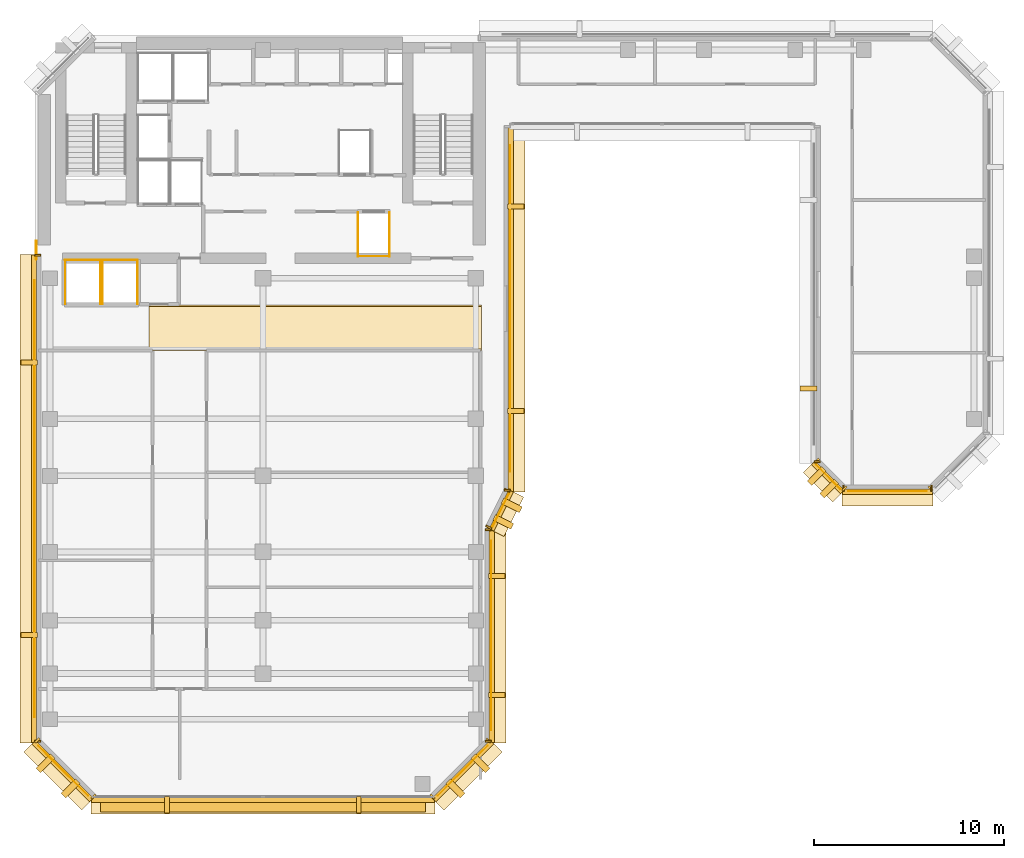
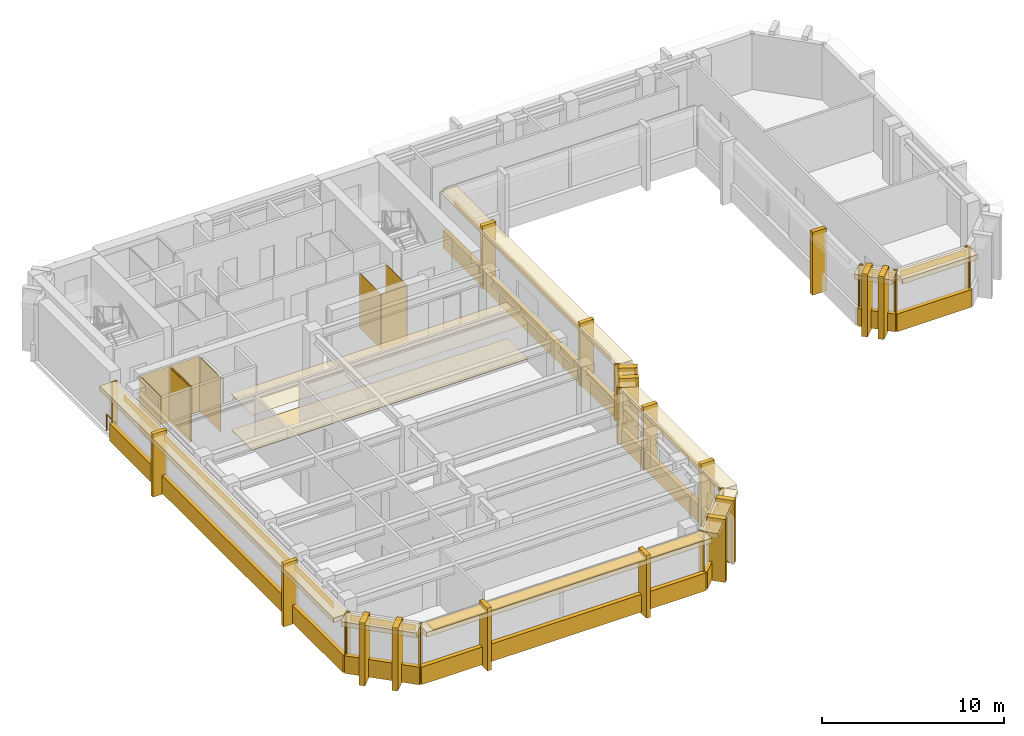
# One storey, part 8 of 11: 71 coverings, 1 railing, 1 shading device.
"""IFC4 building model written with IfcOpenShell, lengths in metres."""

from ifc_helpers import new_model, si_unit, direction, frame, origin, origin_2d, place, context, subcontext, project, spatial, polyline, rectangle, circle, outline, extrude, material, layer, layer_set, type_object, element, save


model = new_model("IFC4")

# Units and contexts
model_context = context("Model", 3, precision=1e-05, world=origin(), true_north=direction((0.0, 1.0)))
body_context = subcontext(model_context, "Body", "Model", "MODEL_VIEW")
ifc_project = project(units=[si_unit("LENGTHUNIT", "METRE"), si_unit("AREAUNIT", "SQUARE_METRE"), si_unit("VOLUMEUNIT", "CUBIC_METRE"), si_unit("PLANEANGLEUNIT", "RADIAN"), si_unit("MASSUNIT", "GRAM", prefix="KILO")], contexts=[model_context])

# Site, building, storey
site_placement = place(None, origin())
site = spatial("IfcSite", under=ifc_project, at=site_placement, CompositionType="ELEMENT")
building_placement = place(site_placement, origin())
building = spatial("IfcBuilding", under=site, at=building_placement, Name="Kefirva Bronze Tower", CompositionType="ELEMENT")
storey_placement = place(building_placement, frame((0.0, 0.0, 243.5400390625)))
storey = spatial("IfcBuildingStorey", under=building, at=storey_placement, Name="L59", CompositionType="ELEMENT", Elevation=243.5400390625)

# Coverings
ifc_material_1 = material(Name="Acoustic mineral tile")
ifc_layer_1 = layer(ifc_material_1, 0.02490234375, Name="Acoustic mineral tile")
ifc_layer_set_1 = layer_set([ifc_layer_1], Name="Acoustic mineral tile")
covering_type_1 = type_object("IfcCoveringType", Name="Acoustic Mineral Suspended Ceiling 25mm", PredefinedType="CEILING", material=ifc_layer_set_1)
covering_1_placement = place(storey_placement, frame((0.0, 0.0, 2.39990234375)))
element("IfcCovering", 1, at=covering_1_placement, inside=storey, type_object=covering_type_1, Name="L59 Corridor Acoustic Ceiling", PredefinedType="CEILING", context=body_context, shape_type="SweptSolid", body=[
    extrude(outline(polyline([(6.0, 29.39990234375), (23.5, 29.39990234375), (23.5, 31.800048828125), (6.0, 31.800048828125), (6.0, 29.39990234375)])), origin(), (0.0, 0.0, 1.0), 0.025146484375),
])
ifc_material_2 = material(Name="Bronze anodised aluminium", Category="aluminium")
ifc_layer_2 = layer(ifc_material_2, 0.02001953125, Name="Bronze anodised aluminium")
ifc_layer_set_2 = layer_set([ifc_layer_2], Name="Bronze anodised aluminium")
covering_type_2 = type_object("IfcCoveringType", Name="Anodised Bronze Spandrel Cladding 20mm", PredefinedType="CLADDING", material=ifc_layer_set_2)
covering_2_placement = place(storey_placement, frame((12.0, 5.760009765625, -0.16015625), z_axis=(0.0, 0.0, 1.0), x_axis=(1.0, 0.0, 0.0)))
element("IfcCovering", 2, at=covering_2_placement, inside=storey, type_object=covering_type_2, Name="L59 Streamline Horizontal Spandrel Band 0", PredefinedType="CLADDING", context=body_context, shape_type="SweptSolid", body=[
    extrude(rectangle(XDim=18.0400390625, YDim=0.280029296875, at=origin_2d()), origin(), (0.0, 0.0, 1.0), 1.179931640625),
])
covering_3_placement = place(storey_placement, frame((22.507080078125, 7.29296875, 3.2900390625), z_axis=(0.0, 0.0, 1.0), x_axis=(0.707106781187, 0.707106781187, 0.0)))
element("IfcCovering", 3, at=covering_3_placement, inside=storey, type_object=covering_type_2, Name="L59 Bronze Spandrel Cladding 1", PredefinedType="CLADDING", context=body_context, shape_type="SweptSolid", body=[
    extrude(rectangle(XDim=3.719482421875, YDim=0.02001953125, at=origin_2d()), origin(), (0.0, 0.0, 1.0), 0.39990234375),
])
for number, where, z_axis, x_axis, name in (
    (4, (20.91162109375, 5.93798828125, 0.0), (0.0, 0.0, 1.0), (0.707106781187, 0.707106781187, 0.0), "L59 Facade Joint Closure Panel 1S"),
    (5, (23.862060546875, 8.88818359375, 0.0), (0.0, 0.0, 1.0), (0.707106781187, 0.707106781187, 0.0), "L59 Facade Joint Closure Panel 1E"),
):
    element("IfcCovering", number, at=place(storey_placement, frame(where, z_axis=z_axis, x_axis=x_axis)), inside=storey, type_object=covering_type_2, Name=name, PredefinedType="CLADDING", context=body_context, shape_type="SweptSolid", body=[
        extrude(rectangle(XDim=0.10009765625, YDim=0.320068359375, at=origin_2d()), origin(), (0.0, 0.0, 1.0), 3.7099609375),
    ])
covering_4_placement = place(storey_placement, frame((22.5283203125, 7.271728515625, -0.16015625), z_axis=(0.0, 0.0, 1.0), x_axis=(0.707106781187, 0.707106781187, 0.0)))
element("IfcCovering", 6, at=covering_4_placement, inside=storey, type_object=covering_type_2, Name="L59 Streamline Horizontal Spandrel Band 1", PredefinedType="CLADDING", context=body_context, shape_type="SweptSolid", body=[
    extrude(rectangle(XDim=4.28271484375, YDim=0.280029296875, at=origin_2d()), origin(), (0.0, 0.0, 1.0), 1.179931640625),
])
covering_5_placement = place(storey_placement, frame((24.010009765625, 14.39990234375, 3.2900390625), z_axis=(0.0, 0.0, 1.0), x_axis=(0.0, 1.0, 0.0)))
element("IfcCovering", 7, at=covering_5_placement, inside=storey, type_object=covering_type_2, Name="L59 Bronze Spandrel Cladding 2", PredefinedType="CLADDING", context=body_context, shape_type="SweptSolid", body=[
    extrude(rectangle(XDim=9.98095703125, YDim=0.02001953125, at=origin_2d()), origin(), (0.0, 0.0, 1.0), 0.39990234375),
])
for number, where, z_axis, x_axis, name in (
    (8, (23.840087890625, 8.8349609375, 0.0), (0.0, 0.0, 1.0), (0.0, 1.0, 0.0), "L59 Facade Joint Closure Panel 2S"),
    (9, (23.840087890625, 19.965087890625, 0.0), (0.0, 0.0, 1.0), (0.0, 1.0, 0.0), "L59 Facade Joint Closure Panel 2E"),
):
    element("IfcCovering", number, at=place(storey_placement, frame(where, z_axis=z_axis, x_axis=x_axis)), inside=storey, type_object=covering_type_2, Name=name, PredefinedType="CLADDING", context=body_context, shape_type="SweptSolid", body=[
        extrude(rectangle(XDim=0.10009765625, YDim=0.320068359375, at=origin_2d()), origin(), (0.0, 0.0, 1.0), 3.7099609375),
    ])
covering_6_placement = place(storey_placement, frame((24.0400390625, 14.39990234375, -0.16015625), z_axis=(0.0, 0.0, 1.0), x_axis=(0.0, 1.0, 0.0)))
element("IfcCovering", 10, at=covering_6_placement, inside=storey, type_object=covering_type_2, Name="L59 Streamline Horizontal Spandrel Band 2", PredefinedType="CLADDING", context=body_context, shape_type="SweptSolid", body=[
    extrude(rectangle(XDim=11.239990234375, YDim=0.280029296875, at=origin_2d()), origin(), (0.0, 0.0, 1.0), 1.179931640625),
])
covering_7_placement = place(storey_placement, frame((24.5087890625, 20.99560546875, 3.2900390625), z_axis=(0.0, 0.0, 1.0), x_axis=(0.44721435766, 0.89442680992, 0.0)))
element("IfcCovering", 11, at=covering_7_placement, inside=storey, type_object=covering_type_2, Name="L59 Bronze Spandrel Cladding 3", PredefinedType="CLADDING", context=body_context, shape_type="SweptSolid", body=[
    extrude(rectangle(XDim=1.91357421875, YDim=0.02001953125, at=origin_2d()), origin(), (0.0, 0.0, 1.0), 0.39990234375),
])
for number, where, z_axis, x_axis, name in (
    (12, (23.87255859375, 20.102783203125, 0.0), (0.0, 0.0, 1.0), (0.44721435766, 0.89442680992, 0.0), "L59 Facade Joint Closure Panel 3S"),
    (13, (24.84130859375, 22.040283203125, 0.0), (0.0, 0.0, 1.0), (0.44721435766, 0.89442680992, 0.0), "L59 Facade Joint Closure Panel 3E"),
):
    element("IfcCovering", number, at=place(storey_placement, frame(where, z_axis=z_axis, x_axis=x_axis)), inside=storey, type_object=covering_type_2, Name=name, PredefinedType="CLADDING", context=body_context, shape_type="SweptSolid", body=[
        extrude(rectangle(XDim=0.10009765625, YDim=0.320068359375, at=origin_2d()), origin(), (0.0, 0.0, 1.0), 3.7099609375),
    ])
covering_8_placement = place(storey_placement, frame((24.535888671875, 20.982177734375, -0.16015625), z_axis=(0.0, 0.0, 1.0), x_axis=(0.44721435766, 0.89442680992, 0.0)))
element("IfcCovering", 14, at=covering_8_placement, inside=storey, type_object=covering_type_2, Name="L59 Streamline Horizontal Spandrel Band 3", PredefinedType="CLADDING", context=body_context, shape_type="SweptSolid", body=[
    extrude(rectangle(XDim=2.276123046875, YDim=0.280029296875, at=origin_2d()), origin(), (0.0, 0.0, 1.0), 1.179931640625),
])
covering_9_placement = place(storey_placement, frame((25.010009765625, 31.60009765625, 3.2900390625), z_axis=(0.0, 0.0, 1.0), x_axis=(0.0, 1.0, 0.0)))
element("IfcCovering", 15, at=covering_9_placement, inside=storey, type_object=covering_type_2, Name="L59 Bronze Spandrel Cladding 4", PredefinedType="CLADDING", context=body_context, shape_type="SweptSolid", body=[
    extrude(rectangle(XDim=17.180908203125, YDim=0.02001953125, at=origin_2d()), origin(), (0.0, 0.0, 1.0), 0.39990234375),
])
covering_10_placement = place(storey_placement, frame((24.840087890625, 22.034912109375, 0.0), z_axis=(0.0, 0.0, 1.0), x_axis=(0.0, 1.0, 0.0)))
element("IfcCovering", 16, at=covering_10_placement, inside=storey, type_object=covering_type_2, Name="L59 Facade Joint Closure Panel 4S", PredefinedType="CLADDING", context=body_context, shape_type="SweptSolid", body=[
    extrude(rectangle(XDim=0.10009765625, YDim=0.320068359375, at=origin_2d()), origin(), (0.0, 0.0, 1.0), 3.7099609375),
])
covering_11_placement = place(storey_placement, frame((25.0400390625, 31.60009765625, -0.16015625), z_axis=(0.0, 0.0, 1.0), x_axis=(0.0, 1.0, 0.0)))
element("IfcCovering", 17, at=covering_11_placement, inside=storey, type_object=covering_type_2, Name="L59 Streamline Horizontal Spandrel Band 5", PredefinedType="CLADDING", context=body_context, shape_type="SweptSolid", body=[
    extrude(rectangle(XDim=19.239990234375, YDim=0.280029296875, at=origin_2d()), origin(), (0.0, 0.0, 1.0), 1.179931640625),
])
covering_12_placement = place(storey_placement, frame((41.159912109375, 23.534912109375, 0.0), z_axis=(0.0, 0.0, 1.0), x_axis=(0.0, -1.0, 0.0)))
element("IfcCovering", 18, at=covering_12_placement, inside=storey, type_object=covering_type_2, Name="L59 Facade Joint Closure Panel 5E", PredefinedType="CLADDING", context=body_context, shape_type="SweptSolid", body=[
    extrude(rectangle(XDim=0.10009765625, YDim=0.320068359375, at=origin_2d()), origin(), (0.0, 0.0, 1.0), 3.7099609375),
])
covering_13_placement = place(storey_placement, frame((41.742919921875, 22.742919921875, 3.2900390625), z_axis=(0.0, 0.0, 1.0), x_axis=(0.707106781187, -0.707106781187, 0.0)))
element("IfcCovering", 19, at=covering_13_placement, inside=storey, type_object=covering_type_2, Name="L59 Bronze Spandrel Cladding 6", PredefinedType="CLADDING", context=body_context, shape_type="SweptSolid", body=[
    extrude(rectangle(XDim=1.810302734375, YDim=0.02001953125, at=origin_2d()), origin(), (0.0, 0.0, 1.0), 0.39990234375),
])
for number, where, z_axis, x_axis, name in (
    (20, (41.137939453125, 23.58837890625, 0.0), (0.0, 0.0, 1.0), (0.707106781187, -0.707106781187, 0.0), "L59 Facade Joint Closure Panel 6S"),
    (21, (42.58837890625, 22.137939453125, 0.0), (0.0, 0.0, 1.0), (0.707106781187, -0.707106781187, 0.0), "L59 Facade Joint Closure Panel 6E"),
):
    element("IfcCovering", number, at=place(storey_placement, frame(where, z_axis=z_axis, x_axis=x_axis)), inside=storey, type_object=covering_type_2, Name=name, PredefinedType="CLADDING", context=body_context, shape_type="SweptSolid", body=[
        extrude(rectangle(XDim=0.10009765625, YDim=0.320068359375, at=origin_2d()), origin(), (0.0, 0.0, 1.0), 3.7099609375),
    ])
covering_14_placement = place(storey_placement, frame((41.7216796875, 22.7216796875, -0.16015625), z_axis=(0.0, 0.0, 1.0), x_axis=(0.707106781187, -0.707106781187, 0.0)))
element("IfcCovering", 22, at=covering_14_placement, inside=storey, type_object=covering_type_2, Name="L59 Streamline Horizontal Spandrel Band 8", PredefinedType="CLADDING", context=body_context, shape_type="SweptSolid", body=[
    extrude(rectangle(XDim=2.161376953125, YDim=0.280029296875, at=origin_2d()), origin(), (0.0, 0.0, 1.0), 1.179931640625),
])
covering_15_placement = place(storey_placement, frame((44.85009765625, 21.989990234375, 3.2900390625), z_axis=(0.0, 0.0, 1.0), x_axis=(1.0, 0.0, 0.0)))
element("IfcCovering", 23, at=covering_15_placement, inside=storey, type_object=covering_type_2, Name="L59 Bronze Spandrel Cladding 7", PredefinedType="CLADDING", context=body_context, shape_type="SweptSolid", body=[
    extrude(rectangle(XDim=4.131103515625, YDim=0.02001953125, at=origin_2d()), origin(), (0.0, 0.0, 1.0), 0.39990234375),
])
for number, where, z_axis, x_axis, name in (
    (24, (42.534912109375, 22.159912109375, 0.0), (0.0, 0.0, 1.0), (1.0, 0.0, 0.0), "L59 Facade Joint Closure Panel 7S"),
    (25, (47.1650390625, 22.159912109375, 0.0), (0.0, 0.0, 1.0), (1.0, 0.0, 0.0), "L59 Facade Joint Closure Panel 7E"),
):
    element("IfcCovering", number, at=place(storey_placement, frame(where, z_axis=z_axis, x_axis=x_axis)), inside=storey, type_object=covering_type_2, Name=name, PredefinedType="CLADDING", context=body_context, shape_type="SweptSolid", body=[
        extrude(rectangle(XDim=0.10009765625, YDim=0.320068359375, at=origin_2d()), origin(), (0.0, 0.0, 1.0), 3.7099609375),
    ])
covering_16_placement = place(storey_placement, frame((44.85009765625, 21.9599609375, -0.16015625), z_axis=(0.0, 0.0, 1.0), x_axis=(1.0, 0.0, 0.0)))
element("IfcCovering", 26, at=covering_16_placement, inside=storey, type_object=covering_type_2, Name="L59 Streamline Horizontal Spandrel Band 9", PredefinedType="CLADDING", context=body_context, shape_type="SweptSolid", body=[
    extrude(rectangle(XDim=4.739990234375, YDim=0.280029296875, at=origin_2d()), origin(), (0.0, 0.0, 1.0), 1.179931640625),
])
covering_17_placement = place(storey_placement, frame((47.11181640625, 22.137939453125, 0.0), z_axis=(0.0, 0.0, 1.0), x_axis=(0.707106781187, 0.707106781187, 0.0)))
element("IfcCovering", 27, at=covering_17_placement, inside=storey, type_object=covering_type_2, Name="L59 Facade Joint Closure Panel 8S", PredefinedType="CLADDING", context=body_context, shape_type="SweptSolid", body=[
    extrude(rectangle(XDim=0.10009765625, YDim=0.320068359375, at=origin_2d()), origin(), (0.0, 0.0, 1.0), 3.7099609375),
])
covering_18_placement = place(storey_placement, frame((-0.010009765625, 21.597412109375, 3.2900390625), z_axis=(0.0, 0.0, 1.0), x_axis=(0.0, -1.0, 0.0)))
element("IfcCovering", 28, at=covering_18_placement, inside=storey, type_object=covering_type_2, Name="L59 Bronze Spandrel Cladding 13", PredefinedType="CLADDING", context=body_context, shape_type="SweptSolid", body=[
    extrude(rectangle(XDim=22.986083984375, YDim=0.02001953125, at=origin_2d()), origin(), (0.0, 0.0, 1.0), 0.39990234375),
])
for number, where, z_axis, x_axis, name in (
    (29, (0.159912109375, 34.4150390625, 0.0), (0.0, 0.0, 1.0), (0.0, -1.0, 0.0), "L59 Facade Joint Closure Panel 13S"),
    (30, (0.159912109375, 8.8349609375, 0.0), (0.0, 0.0, 1.0), (0.0, -1.0, 0.0), "L59 Facade Joint Closure Panel 13E"),
):
    element("IfcCovering", number, at=place(storey_placement, frame(where, z_axis=z_axis, x_axis=x_axis)), inside=storey, type_object=covering_type_2, Name=name, PredefinedType="CLADDING", context=body_context, shape_type="SweptSolid", body=[
        extrude(rectangle(XDim=0.10009765625, YDim=0.320068359375, at=origin_2d()), origin(), (0.0, 0.0, 1.0), 3.7099609375),
    ])
covering_19_placement = place(storey_placement, frame((-0.0400390625, 21.597412109375, -0.16015625), z_axis=(0.0, 0.0, 1.0), x_axis=(0.0, -1.0, 0.0)))
element("IfcCovering", 31, at=covering_19_placement, inside=storey, type_object=covering_type_2, Name="L59 Streamline Horizontal Spandrel Band 15", PredefinedType="CLADDING", context=body_context, shape_type="SweptSolid", body=[
    extrude(rectangle(XDim=25.635009765625, YDim=0.280029296875, at=origin_2d()), origin(), (0.0, 0.0, 1.0), 1.179931640625),
])
covering_20_placement = place(storey_placement, frame((1.492919921875, 7.29296875, 3.2900390625), z_axis=(0.0, 0.0, 1.0), x_axis=(0.707106781187, -0.707106781187, 0.0)))
element("IfcCovering", 32, at=covering_20_placement, inside=storey, type_object=covering_type_2, Name="L59 Bronze Spandrel Cladding 14", PredefinedType="CLADDING", context=body_context, shape_type="SweptSolid", body=[
    extrude(rectangle(XDim=3.719482421875, YDim=0.02001953125, at=origin_2d()), origin(), (0.0, 0.0, 1.0), 0.39990234375),
])
for number, where, z_axis, x_axis, name in (
    (33, (0.137939453125, 8.88818359375, 0.0), (0.0, 0.0, 1.0), (0.707106781187, -0.707106781187, 0.0), "L59 Facade Joint Closure Panel 14S"),
    (34, (3.08837890625, 5.93798828125, 0.0), (0.0, 0.0, 1.0), (0.707106781187, -0.707106781187, 0.0), "L59 Facade Joint Closure Panel 14E"),
):
    element("IfcCovering", number, at=place(storey_placement, frame(where, z_axis=z_axis, x_axis=x_axis)), inside=storey, type_object=covering_type_2, Name=name, PredefinedType="CLADDING", context=body_context, shape_type="SweptSolid", body=[
        extrude(rectangle(XDim=0.10009765625, YDim=0.320068359375, at=origin_2d()), origin(), (0.0, 0.0, 1.0), 3.7099609375),
    ])
covering_21_placement = place(storey_placement, frame((1.4716796875, 7.271728515625, -0.16015625), z_axis=(0.0, 0.0, 1.0), x_axis=(0.707106781187, -0.707106781187, 0.0)))
element("IfcCovering", 35, at=covering_21_placement, inside=storey, type_object=covering_type_2, Name="L59 Streamline Horizontal Spandrel Band 16", PredefinedType="CLADDING", context=body_context, shape_type="SweptSolid", body=[
    extrude(rectangle(XDim=4.28271484375, YDim=0.280029296875, at=origin_2d()), origin(), (0.0, 0.0, 1.0), 1.179931640625),
])
covering_22_placement = place(storey_placement, origin())
element("IfcCovering", 36, at=covering_22_placement, inside=storey, type_object=covering_type_2, Name="L59 Lift OB1 Hoistway Liner N", PredefinedType="CLADDING", context=body_context, shape_type="SweptSolid", body=[
    extrude(outline(polyline([(1.580078125, 34.139892578125), (3.469970703125, 34.139892578125), (3.469970703125, 34.159912109375), (1.580078125, 34.159912109375), (1.580078125, 34.139892578125)])), origin(), (0.0, 0.0, 1.0), 3.7099609375),
])
covering_23_placement = place(storey_placement, origin())
element("IfcCovering", 37, at=covering_23_placement, inside=storey, type_object=covering_type_2, Name="L59 Lift OB1 Hoistway Liner W", PredefinedType="CLADDING", context=body_context, shape_type="SweptSolid", body=[
    extrude(outline(polyline([(1.590087890625, 31.830078125), (1.610107421875, 31.830078125), (1.610107421875, 34.169921875), (1.590087890625, 34.169921875), (1.590087890625, 31.830078125)])), origin(), (0.0, 0.0, 1.0), 3.7099609375),
])
covering_24_placement = place(storey_placement, origin())
element("IfcCovering", 38, at=covering_24_placement, inside=storey, type_object=covering_type_2, Name="L59 Lift OB1 Hoistway Liner E", PredefinedType="CLADDING", context=body_context, shape_type="SweptSolid", body=[
    extrude(outline(polyline([(3.43994140625, 31.830078125), (3.4599609375, 31.830078125), (3.4599609375, 34.169921875), (3.43994140625, 34.169921875), (3.43994140625, 31.830078125)])), origin(), (0.0, 0.0, 1.0), 3.7099609375),
])
covering_25_placement = place(storey_placement, origin())
element("IfcCovering", 39, at=covering_25_placement, inside=storey, type_object=covering_type_2, Name="L59 Lift OB2 Hoistway Liner N", PredefinedType="CLADDING", context=body_context, shape_type="SweptSolid", body=[
    extrude(outline(polyline([(3.530029296875, 34.139892578125), (5.419921875, 34.139892578125), (5.419921875, 34.159912109375), (3.530029296875, 34.159912109375), (3.530029296875, 34.139892578125)])), origin(), (0.0, 0.0, 1.0), 3.7099609375),
])
covering_26_placement = place(storey_placement, origin())
element("IfcCovering", 40, at=covering_26_placement, inside=storey, type_object=covering_type_2, Name="L59 Lift OB2 Hoistway Liner W", PredefinedType="CLADDING", context=body_context, shape_type="SweptSolid", body=[
    extrude(outline(polyline([(3.5400390625, 31.830078125), (3.56005859375, 31.830078125), (3.56005859375, 34.169921875), (3.5400390625, 34.169921875), (3.5400390625, 31.830078125)])), origin(), (0.0, 0.0, 1.0), 3.7099609375),
])
covering_27_placement = place(storey_placement, origin())
element("IfcCovering", 41, at=covering_27_placement, inside=storey, type_object=covering_type_2, Name="L59 Lift OB2 Hoistway Liner E", PredefinedType="CLADDING", context=body_context, shape_type="SweptSolid", body=[
    extrude(outline(polyline([(5.389892578125, 31.830078125), (5.409912109375, 31.830078125), (5.409912109375, 34.169921875), (5.389892578125, 34.169921875), (5.389892578125, 31.830078125)])), origin(), (0.0, 0.0, 1.0), 3.7099609375),
])
covering_28_placement = place(storey_placement, origin())
element("IfcCovering", 42, at=covering_28_placement, inside=storey, type_object=covering_type_2, Name="L59 Lift HP1 Hoistway Liner S", PredefinedType="CLADDING", context=body_context, shape_type="SweptSolid", body=[
    extrude(outline(polyline([(16.97998046875, 34.340087890625), (18.669921875, 34.340087890625), (18.669921875, 34.360107421875), (16.97998046875, 34.360107421875), (16.97998046875, 34.340087890625)])), origin(), (0.0, 0.0, 1.0), 3.7099609375),
])
covering_29_placement = place(storey_placement, origin())
element("IfcCovering", 43, at=covering_29_placement, inside=storey, type_object=covering_type_2, Name="L59 Lift HP1 Hoistway Liner W", PredefinedType="CLADDING", context=body_context, shape_type="SweptSolid", body=[
    extrude(outline(polyline([(16.989990234375, 34.330078125), (17.010009765625, 34.330078125), (17.010009765625, 36.669921875), (16.989990234375, 36.669921875), (16.989990234375, 34.330078125)])), origin(), (0.0, 0.0, 1.0), 3.7099609375),
])
covering_30_placement = place(storey_placement, origin())
element("IfcCovering", 44, at=covering_30_placement, inside=storey, type_object=covering_type_2, Name="L59 Lift HP1 Hoistway Liner E", PredefinedType="CLADDING", context=body_context, shape_type="SweptSolid", body=[
    extrude(outline(polyline([(18.639892578125, 34.330078125), (18.659912109375, 34.330078125), (18.659912109375, 36.669921875), (18.639892578125, 36.669921875), (18.639892578125, 34.330078125)])), origin(), (0.0, 0.0, 1.0), 3.7099609375),
])

# Shading device
ifc_layer_3 = layer(ifc_material_2, 0.090087890625, Name="Bronze anodised aluminium")
ifc_layer_set_3 = layer_set([ifc_layer_3], Name="Bronze anodised aluminium")
shading_device_type = type_object("IfcShadingDeviceType", Name="Horizontal Bronze Sunshade Band 750mm", PredefinedType="JALOUSIE", material=ifc_layer_set_3)
shading_device_placement = place(storey_placement, frame((12.0, 5.5048828125, 3.60498046875), z_axis=(0.0, 0.0, 1.0), x_axis=(1.0, 0.0, 0.0)))
element("IfcShadingDevice", 45, at=shading_device_placement, inside=storey, type_object=shading_device_type, Name="L59 Horizontal Bronze Sunshade Band 0", PredefinedType="JALOUSIE", context=body_context, shape_type="SweptSolid", body=[
    extrude(rectangle(XDim=17.090087890625, YDim=0.75, at=origin_2d()), origin(), (0.0, 0.0, 1.0), 0.090087890625),
])

# Railing
ifc_material_3 = material(Name="Stainless steel 316", Category="steel")
railing_type = type_object("IfcRailingType", Name="Interior Stair Guardrail 1100mm", PredefinedType="GUARDRAIL", material=ifc_material_3)
railing_placement = place(storey_placement, frame((0.080078125, 34.199951171875, 0.0)))
element("IfcRailing", 46, at=railing_placement, inside=storey, type_object=railing_type, Name="L59 West Core Junction Guardrail", PredefinedType="GUARDRAIL", context=body_context, shape_type="SweptSolid", body=[
    extrude(circle(Radius=0.02392578125, at=origin_2d()), frame((0.0, 0.0, 1.076171875), z_axis=(0.0, 1.0, 0.0), x_axis=(-1.0, 0.0, 0.0)), (0.0, 0.0, 1.0), 0.949951171875),
    extrude(circle(Radius=0.02099609375, at=origin_2d()), origin(), (0.0, 0.0, 1.0), 1.052001953125),
    extrude(circle(Radius=0.02099609375, at=origin_2d()), frame((0.0, 0.949951171875, 0.0)), (0.0, 0.0, 1.0), 1.052001953125),
])

# Coverings
ifc_material_4 = material(Name="Calcium sulphate access tile")
ifc_layer_4 = layer(ifc_material_4, 0.044921875, Name="Calcium sulphate access tile")
ifc_layer_set_4 = layer_set([ifc_layer_4], Name="Calcium sulphate access tile")
covering_type_3 = type_object("IfcCoveringType", Name="Raised Access Office Flooring 45mm", PredefinedType="FLOORING", material=ifc_layer_set_4)
covering_31_placement = place(storey_placement, origin())
element("IfcCovering", 47, at=covering_31_placement, inside=storey, type_object=covering_type_3, Name="L59 Architectural Finish Flooring", PredefinedType="FLOORING", context=body_context, shape_type="SweptSolid", body=[
    extrude(outline(polyline([(6.0, 29.47998046875), (23.5, 29.47998046875), (23.5, 31.719970703125), (6.0, 31.719970703125), (6.0, 29.47998046875)])), origin(), (0.0, 0.0, 1.0), 0.044921875),
])
ifc_layer_5 = layer(ifc_material_2, 0.179931640625, Name="Bronze anodised aluminium")
ifc_layer_set_5 = layer_set([ifc_layer_5], Name="Bronze anodised aluminium")
covering_type_4 = type_object("IfcCoveringType", Name="Streamline Bronze Sunshade Eyebrow Cladding 180mm", PredefinedType="CLADDING", material=ifc_layer_set_5)
covering_32_placement = place(storey_placement, frame((12.0, 5.489990234375, 3.39013671875), z_axis=(0.0, 0.0, 1.0), x_axis=(1.0, 0.0, 0.0)))
element("IfcCovering", 48, at=covering_32_placement, inside=storey, type_object=covering_type_4, Name="L59 Streamline Bronze Sunshade Eyebrow 0", PredefinedType="CLADDING", context=body_context, shape_type="SweptSolid", body=[
    extrude(rectangle(XDim=18.080078125, YDim=0.93994140625, at=origin_2d()), origin(), (0.0, 0.0, 1.0), 0.320068359375),
])
covering_33_placement = place(storey_placement, frame((22.71923828125, 7.080810546875, 3.39013671875), z_axis=(0.0, 0.0, 1.0), x_axis=(0.707106781187, 0.707106781187, 0.0)))
element("IfcCovering", 49, at=covering_33_placement, inside=storey, type_object=covering_type_4, Name="L59 Streamline Bronze Sunshade Eyebrow 1", PredefinedType="CLADDING", context=body_context, shape_type="SweptSolid", body=[
    extrude(rectangle(XDim=4.322509765625, YDim=0.93994140625, at=origin_2d()), origin(), (0.0, 0.0, 1.0), 0.320068359375),
])
covering_34_placement = place(storey_placement, frame((24.31005859375, 14.39990234375, 3.39013671875), z_axis=(0.0, 0.0, 1.0), x_axis=(0.0, 1.0, 0.0)))
element("IfcCovering", 50, at=covering_34_placement, inside=storey, type_object=covering_type_4, Name="L59 Streamline Bronze Sunshade Eyebrow 2", PredefinedType="CLADDING", context=body_context, shape_type="SweptSolid", body=[
    extrude(rectangle(XDim=11.280029296875, YDim=0.93994140625, at=origin_2d()), origin(), (0.0, 0.0, 1.0), 0.320068359375),
])
covering_35_placement = place(storey_placement, frame((24.77734375, 20.861328125, 3.39013671875), z_axis=(0.0, 0.0, 1.0), x_axis=(0.44721435766, 0.89442680992, 0.0)))
element("IfcCovering", 51, at=covering_35_placement, inside=storey, type_object=covering_type_4, Name="L59 Streamline Bronze Sunshade Eyebrow 3", PredefinedType="CLADDING", context=body_context, shape_type="SweptSolid", body=[
    extrude(rectangle(XDim=2.316162109375, YDim=0.93994140625, at=origin_2d()), origin(), (0.0, 0.0, 1.0), 0.320068359375),
])
covering_36_placement = place(storey_placement, frame((25.31005859375, 31.60009765625, 3.39013671875), z_axis=(0.0, 0.0, 1.0), x_axis=(0.0, 1.0, 0.0)))
element("IfcCovering", 52, at=covering_36_placement, inside=storey, type_object=covering_type_4, Name="L59 Streamline Bronze Sunshade Eyebrow 5", PredefinedType="CLADDING", context=body_context, shape_type="SweptSolid", body=[
    extrude(rectangle(XDim=19.280029296875, YDim=0.93994140625, at=origin_2d()), origin(), (0.0, 0.0, 1.0), 0.320068359375),
])
covering_37_placement = place(storey_placement, frame((41.53076171875, 22.53076171875, 3.39013671875), z_axis=(0.0, 0.0, 1.0), x_axis=(0.707106781187, -0.707106781187, 0.0)))
element("IfcCovering", 53, at=covering_37_placement, inside=storey, type_object=covering_type_4, Name="L59 Streamline Bronze Sunshade Eyebrow 8", PredefinedType="CLADDING", context=body_context, shape_type="SweptSolid", body=[
    extrude(rectangle(XDim=2.201416015625, YDim=0.93994140625, at=origin_2d()), origin(), (0.0, 0.0, 1.0), 0.320068359375),
])
covering_38_placement = place(storey_placement, frame((44.85009765625, 21.68994140625, 3.39013671875), z_axis=(0.0, 0.0, 1.0), x_axis=(1.0, 0.0, 0.0)))
element("IfcCovering", 54, at=covering_38_placement, inside=storey, type_object=covering_type_4, Name="L59 Streamline Bronze Sunshade Eyebrow 9", PredefinedType="CLADDING", context=body_context, shape_type="SweptSolid", body=[
    extrude(rectangle(XDim=4.780029296875, YDim=0.93994140625, at=origin_2d()), origin(), (0.0, 0.0, 1.0), 0.320068359375),
])
covering_39_placement = place(storey_placement, frame((-0.31005859375, 21.597412109375, 3.39013671875), z_axis=(0.0, 0.0, 1.0), x_axis=(0.0, -1.0, 0.0)))
element("IfcCovering", 55, at=covering_39_placement, inside=storey, type_object=covering_type_4, Name="L59 Streamline Bronze Sunshade Eyebrow 15", PredefinedType="CLADDING", context=body_context, shape_type="SweptSolid", body=[
    extrude(rectangle(XDim=25.675048828125, YDim=0.93994140625, at=origin_2d()), origin(), (0.0, 0.0, 1.0), 0.320068359375),
])
covering_40_placement = place(storey_placement, frame((1.28076171875, 7.080810546875, 3.39013671875), z_axis=(0.0, 0.0, 1.0), x_axis=(0.707106781187, -0.707106781187, 0.0)))
element("IfcCovering", 56, at=covering_40_placement, inside=storey, type_object=covering_type_4, Name="L59 Streamline Bronze Sunshade Eyebrow 16", PredefinedType="CLADDING", context=body_context, shape_type="SweptSolid", body=[
    extrude(rectangle(XDim=4.322509765625, YDim=0.93994140625, at=origin_2d()), origin(), (0.0, 0.0, 1.0), 0.320068359375),
])
ifc_layer_6 = layer(ifc_material_2, 0.260009765625, Name="Bronze anodised aluminium")
ifc_layer_set_6 = layer_set([ifc_layer_6], Name="Bronze anodised aluminium")
covering_type_5 = type_object("IfcCoveringType", Name="Unbroken Bronze Buttress Fin Cladding 260mm", PredefinedType="CLADDING", material=ifc_layer_set_6)
for number, where, z_axis, x_axis, name in (
    (57, (6.9599609375, 5.5, -0.25), (0.0, 0.0, 1.0), (1.0, 0.0, 0.0), "L59 Unbroken Vertical Bronze Rib Fin 1"),
    (58, (17.0400390625, 5.5, -0.25), (0.0, 0.0, 1.0), (1.0, 0.0, 0.0), "L59 Unbroken Vertical Bronze Rib Fin 2"),
):
    element("IfcCovering", number, at=place(storey_placement, frame(where, z_axis=z_axis, x_axis=x_axis)), inside=storey, type_object=covering_type_5, Name=name, PredefinedType="CLADDING", context=body_context, shape_type="SweptSolid", body=[
        extrude(rectangle(XDim=0.260009765625, YDim=0.8798828125, at=origin_2d()), origin(), (0.0, 0.0, 1.0), 4.2099609375),
    ])
for number, where, z_axis, x_axis, name in (
    (59, (22.122802734375, 6.357177734375, -0.25), (0.0, 0.0, 1.0), (0.707106781187, 0.707106781187, 0.0), "L59 Chamfered Corner Buttress Fin Cladding 3"),
    (60, (23.44287109375, 7.67724609375, -0.25), (0.0, 0.0, 1.0), (0.707106781187, 0.707106781187, 0.0), "L59 Chamfered Corner Buttress Fin Cladding 4"),
):
    element("IfcCovering", number, at=place(storey_placement, frame(where, z_axis=z_axis, x_axis=x_axis)), inside=storey, type_object=covering_type_5, Name=name, PredefinedType="CLADDING", context=body_context, shape_type="SweptSolid", body=[
        extrude(rectangle(XDim=0.340087890625, YDim=1.080078125, at=origin_2d()), origin(), (0.0, 0.0, 1.0), 4.2099609375),
    ])
for number, where, z_axis, x_axis, name in (
    (61, (24.300048828125, 11.263916015625, -0.25), (0.0, 0.0, 1.0), (0.0, 1.0, 0.0), "L59 Unbroken Vertical Bronze Rib Fin 5"),
    (62, (24.300048828125, 17.535888671875, -0.25), (0.0, 0.0, 1.0), (0.0, 1.0, 0.0), "L59 Unbroken Vertical Bronze Rib Fin 6"),
):
    element("IfcCovering", number, at=place(storey_placement, frame(where, z_axis=z_axis, x_axis=x_axis)), inside=storey, type_object=covering_type_5, Name=name, PredefinedType="CLADDING", context=body_context, shape_type="SweptSolid", body=[
        extrude(rectangle(XDim=0.260009765625, YDim=0.8798828125, at=origin_2d()), origin(), (0.0, 0.0, 1.0), 4.2099609375),
    ])
for number, where, z_axis, x_axis, name in (
    (63, (24.6376953125, 20.381103515625, -0.25), (0.0, 0.0, 1.0), (0.44721435766, 0.89442680992, 0.0), "L59 Chamfered Corner Buttress Fin Cladding 7"),
    (64, (25.077880859375, 21.260986328125, -0.25), (0.0, 0.0, 1.0), (0.44721435766, 0.89442680992, 0.0), "L59 Chamfered Corner Buttress Fin Cladding 8"),
):
    element("IfcCovering", number, at=place(storey_placement, frame(where, z_axis=z_axis, x_axis=x_axis)), inside=storey, type_object=covering_type_5, Name=name, PredefinedType="CLADDING", context=body_context, shape_type="SweptSolid", body=[
        extrude(rectangle(XDim=0.340087890625, YDim=1.080078125, at=origin_2d()), origin(), (0.0, 0.0, 1.0), 4.2099609375),
    ])
for number, where, z_axis, x_axis, name in (
    (65, (25.300048828125, 26.22412109375, -0.25), (0.0, 0.0, 1.0), (0.0, 1.0, 0.0), "L59 Unbroken Vertical Bronze Rib Fin 9"),
    (66, (25.300048828125, 36.97607421875, -0.25), (0.0, 0.0, 1.0), (0.0, 1.0, 0.0), "L59 Unbroken Vertical Bronze Rib Fin 10"),
    (67, (40.699951171875, 27.39404296875, -0.25), (0.0, 0.0, 1.0), (0.0, -1.0, 0.0), "L59 Unbroken Vertical Bronze Rib Fin 14"),
):
    element("IfcCovering", number, at=place(storey_placement, frame(where, z_axis=z_axis, x_axis=x_axis)), inside=storey, type_object=covering_type_5, Name=name, PredefinedType="CLADDING", context=body_context, shape_type="SweptSolid", body=[
        extrude(rectangle(XDim=0.260009765625, YDim=0.8798828125, at=origin_2d()), origin(), (0.0, 0.0, 1.0), 4.2099609375),
    ])
for number, where, z_axis, x_axis, name in (
    (68, (41.13720703125, 22.797119140625, -0.25), (0.0, 0.0, 1.0), (0.707106781187, -0.707106781187, 0.0), "L59 Chamfered Corner Buttress Fin Cladding 15"),
    (69, (41.797119140625, 22.13720703125, -0.25), (0.0, 0.0, 1.0), (0.707106781187, -0.707106781187, 0.0), "L59 Chamfered Corner Buttress Fin Cladding 16"),
):
    element("IfcCovering", number, at=place(storey_placement, frame(where, z_axis=z_axis, x_axis=x_axis)), inside=storey, type_object=covering_type_5, Name=name, PredefinedType="CLADDING", context=body_context, shape_type="SweptSolid", body=[
        extrude(rectangle(XDim=0.340087890625, YDim=1.080078125, at=origin_2d()), origin(), (0.0, 0.0, 1.0), 4.2099609375),
    ])
for number, where, z_axis, x_axis, name in (
    (70, (-0.300048828125, 28.76416015625, -0.25), (0.0, 0.0, 1.0), (0.0, -1.0, 0.0), "L59 Unbroken Vertical Bronze Rib Fin 27"),
    (71, (-0.300048828125, 14.430908203125, -0.25), (0.0, 0.0, 1.0), (0.0, -1.0, 0.0), "L59 Unbroken Vertical Bronze Rib Fin 28"),
):
    element("IfcCovering", number, at=place(storey_placement, frame(where, z_axis=z_axis, x_axis=x_axis)), inside=storey, type_object=covering_type_5, Name=name, PredefinedType="CLADDING", context=body_context, shape_type="SweptSolid", body=[
        extrude(rectangle(XDim=0.260009765625, YDim=0.8798828125, at=origin_2d()), origin(), (0.0, 0.0, 1.0), 4.2099609375),
    ])
for number, where, z_axis, x_axis, name in (
    (72, (0.55712890625, 7.67724609375, -0.25), (0.0, 0.0, 1.0), (0.707106781187, -0.707106781187, 0.0), "L59 Chamfered Corner Buttress Fin Cladding 29"),
    (73, (1.877197265625, 6.357177734375, -0.25), (0.0, 0.0, 1.0), (0.707106781187, -0.707106781187, 0.0), "L59 Chamfered Corner Buttress Fin Cladding 30"),
):
    element("IfcCovering", number, at=place(storey_placement, frame(where, z_axis=z_axis, x_axis=x_axis)), inside=storey, type_object=covering_type_5, Name=name, PredefinedType="CLADDING", context=body_context, shape_type="SweptSolid", body=[
        extrude(rectangle(XDim=0.340087890625, YDim=1.080078125, at=origin_2d()), origin(), (0.0, 0.0, 1.0), 4.2099609375),
    ])

save(model, "model.ifc")
